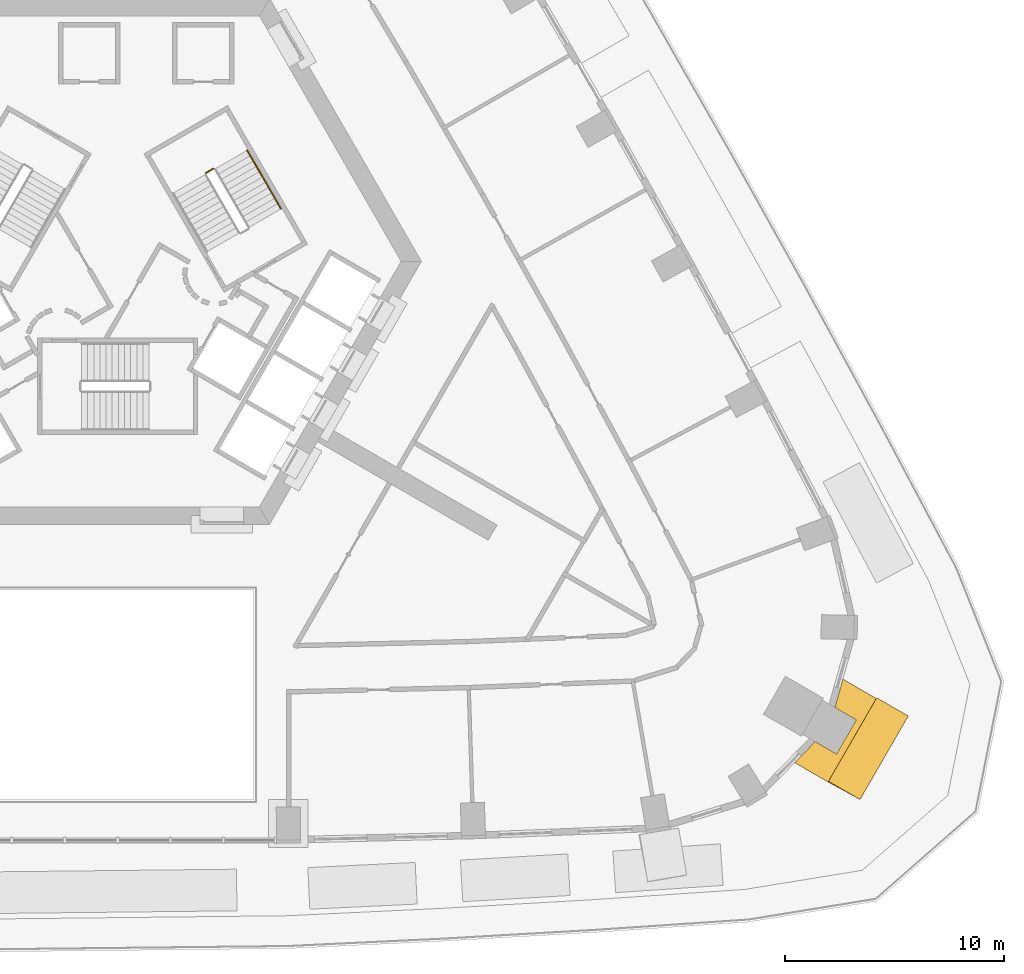
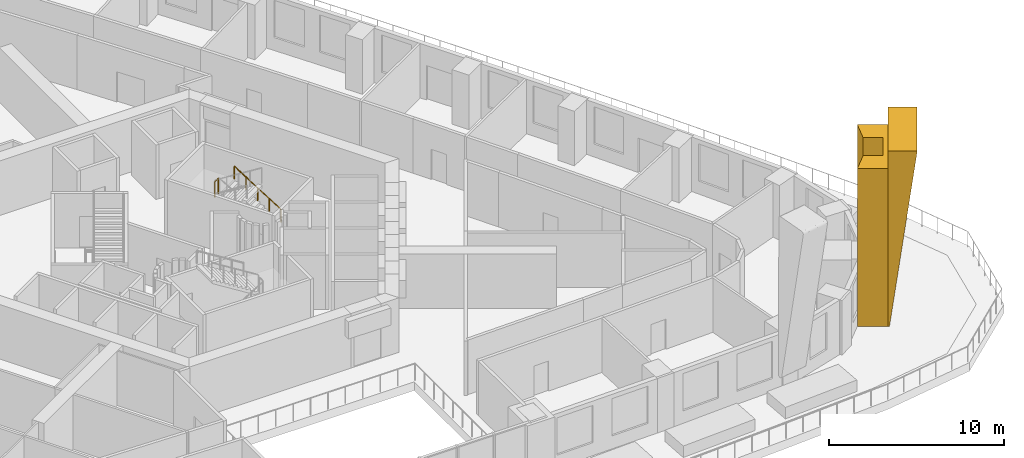
# One storey, part 15 of 16: 2 coverings, 2 railings.
"""IFC4 building model written with IfcOpenShell, lengths in metres."""

import ifcopenshell
import ifcopenshell.guid

model = None  # the IFC model being written
_history = None  # IfcOwnerHistory: only IFC2X3 demands one
_inside = {}  # id of a spatial element -> (the spatial element, [elements in it])
_under = {}  # id of a project, library or spatial element -> (it, [spatial elements below it])
_declared = {}  # id of a project -> (the project, [libraries it declares])
_typed = {}  # id of a type object -> (the type object, [elements of that type])
_made_of = {}  # id of a material, layer set ... -> (it, [elements and type objects made of it])


def new_model(schema):
    """Start an empty IFC model of exactly this schema.

    Asked for "IFC4X3", IfcOpenShell would pick the latest addendum, in which some entities
    have other attributes; the version numbers below select the first issue.
    IFC2X3 requires an IfcOwnerHistory on every rooted entity: one is made here for all.
    """
    global model, _history
    if schema == "IFC4X3":
        model = ifcopenshell.file(schema_version=(4, 3, 0, 0))
    else:
        model = ifcopenshell.file(schema=schema)
    _inside.clear()
    _under.clear()
    _declared.clear()
    _typed.clear()
    _made_of.clear()
    _history = None
    if model.schema == "IFC2X3":
        org = make("IfcOrganization", Name="unknown")
        user = make(
            "IfcPersonAndOrganization",
            ThePerson=make("IfcPerson", FamilyName="unknown"),
            TheOrganization=org,
        )
        app = make(
            "IfcApplication",
            ApplicationDeveloper=org,
            Version="unknown",
            ApplicationFullName="unknown",
            ApplicationIdentifier="unknown",
        )
        _history = make(
            "IfcOwnerHistory",
            OwningUser=user,
            OwningApplication=app,
            ChangeAction="ADDED",
            CreationDate=0,
        )
    return model


def make(cls, **values):
    """One entity of the class cls with the attributes given. An attribute that is None is left unset."""
    return model.create_entity(
        cls, **{name: value for name, value in values.items() if value is not None}
    )


def rooted(cls, **values):
    """An entity with a GlobalId (a new one), such as an element, a storey or a relation."""
    return make(cls, GlobalId=ifcopenshell.guid.new(), OwnerHistory=_history, **values)


def si_unit(unit_type, name, prefix=None):
    """IfcSIUnit, for example si_unit("LENGTHUNIT", "METRE", prefix="MILLI")."""
    return make("IfcSIUnit", UnitType=unit_type, Prefix=prefix, Name=name)


def assignment(units):
    """IfcUnitAssignment: the units of a project."""
    return None if units is None else make("IfcUnitAssignment", Units=units)


def point(xyz):
    """IfcCartesianPoint."""
    return None if xyz is None else make("IfcCartesianPoint", Coordinates=xyz)


def direction(xyz):
    """IfcDirection."""
    return None if xyz is None else make("IfcDirection", DirectionRatios=xyz)


def frame(location, z_axis=None, x_axis=None):
    """IfcAxis2Placement3D, a coordinate frame: its origin and axes. An axis left out is left unset."""
    return make(
        "IfcAxis2Placement3D",
        Location=point(location),
        Axis=direction(z_axis),
        RefDirection=direction(x_axis),
    )


def frame_2d(location, x_axis=None):
    """IfcAxis2Placement2D, a coordinate frame in the plane: its origin and x axis."""
    return make(
        "IfcAxis2Placement2D", Location=point(location), RefDirection=direction(x_axis)
    )


def origin():
    """The frame at (0, 0, 0) with its axes left unset."""
    return frame((0.0, 0.0, 0.0))


def origin_2d():
    """The frame at (0, 0) in the plane with its x axis left unset."""
    return frame_2d((0.0, 0.0))


def place(relative_to, where):
    """IfcLocalPlacement: puts the frame where relative to a parent placement (None: the world)."""
    return make(
        "IfcLocalPlacement", PlacementRelTo=relative_to, RelativePlacement=where
    )


def context(
    kind, dimensions, precision=None, world=None, true_north=None, identifier=None
):
    """IfcGeometricRepresentationContext, for example the 3D "Model" context."""
    return make(
        "IfcGeometricRepresentationContext",
        ContextIdentifier=identifier,
        ContextType=kind,
        CoordinateSpaceDimension=dimensions,
        Precision=precision,
        WorldCoordinateSystem=world,
        TrueNorth=true_north,
    )


def subcontext(parent, identifier, kind, view, scale=None):
    """IfcGeometricRepresentationSubContext, for example "Body" below "Model"."""
    return make(
        "IfcGeometricRepresentationSubContext",
        ContextIdentifier=identifier,
        ContextType=kind,
        ParentContext=parent,
        TargetScale=scale,
        TargetView=view,
    )


def project(units=None, contexts=None):
    """IfcProject with its units and contexts."""
    return rooted(
        "IfcProject",
        Name="project",
        RepresentationContexts=contexts,
        UnitsInContext=assignment(units),
    )


def spatial(cls, under=None, at=None, **own):
    """A site, building, storey or space (cls), placed at a placement, below another one or the project."""
    s = rooted(cls, ObjectPlacement=at, **own)
    if under is not None:
        _under.setdefault(under.id(), (under, []))[1].append(s)
    return s


def polyline(points):
    """IfcPolyline through the points."""
    return make("IfcPolyline", Points=[point(p) for p in points])


def profile(cls, at=None, kind="AREA", **sizes):
    """A parametric profile (cls). Its sizes go by their IFC names, for example OverallWidth=200.0."""
    return make(cls, ProfileType=kind, Position=at, **sizes)


def circle(**sizes):
    """IfcCircleProfileDef."""
    return profile("IfcCircleProfileDef", **sizes)


def outline(outer, holes=None, kind="AREA"):
    """IfcArbitraryClosedProfileDef: a profile drawn as a closed curve; with holes, ...WithVoids."""
    if holes is None:
        return make("IfcArbitraryClosedProfileDef", ProfileType=kind, OuterCurve=outer)
    return make(
        "IfcArbitraryProfileDefWithVoids",
        ProfileType=kind,
        OuterCurve=outer,
        InnerCurves=holes,
    )


def extrude(swept, where, along, depth):
    """IfcExtrudedAreaSolid: the profile swept, set in the frame where, extruded along a direction by depth."""
    return make(
        "IfcExtrudedAreaSolid",
        SweptArea=swept,
        Position=where,
        ExtrudedDirection=direction(along),
        Depth=depth,
    )


def shape(context_of_items, identifier, shape_type, items):
    """IfcShapeRepresentation: the items that make up one representation, for example the "Body"."""
    return make(
        "IfcShapeRepresentation",
        ContextOfItems=context_of_items,
        RepresentationIdentifier=identifier,
        RepresentationType=shape_type,
        Items=items,
    )


def material(Name=None, Category=None):
    """IfcMaterial."""
    return make("IfcMaterial", Name=Name, Category=Category)


def made_of(thing, what):
    """Note that an element or type object is made of a material, layer set ...; save() writes the relation."""
    if what is not None:
        _made_of.setdefault(what.id(), (what, []))[1].append(thing)
    return thing


def type_object(cls, material=None, **own):
    """A type object (cls), such as IfcWallType, which elements share."""
    return made_of(rooted(cls, **own), material)


def element(
    cls,
    number,
    at=None,
    inside=None,
    cuts=None,
    type_object=None,
    material=None,
    context=None,
    identifier="Body",
    shape_type=None,
    held_by="IfcProductDefinitionShape",
    body=None,
    shapes=None,
    **own,
):
    """One element of the class cls, such as IfcWall. Its Tag is "e" and its number.

    at: its placement. inside: the storey or other place that contains it. cuts: it is an
    opening in that element (IfcRelVoidsElement). A single representation is given by context,
    identifier, shape_type and body (its items); several are given by shapes. held_by: the class
    of the entity that holds the representations. save() writes the other relations.
    """
    e = rooted(cls, Tag="e%d" % number, ObjectPlacement=at, **own)
    if body is not None:
        shapes = [shape(context, identifier, shape_type, body)]
    if shapes is not None:
        e.Representation = make(held_by, Representations=shapes)
    if inside is not None:
        _inside.setdefault(inside.id(), (inside, []))[1].append(e)
    if cuts is not None:
        rooted(
            "IfcRelVoidsElement", RelatingBuildingElement=cuts, RelatedOpeningElement=e
        )
    if type_object is not None:
        _typed.setdefault(type_object.id(), (type_object, []))[1].append(e)
    return made_of(e, material)


def aggregate(whole, parts):
    """IfcRelAggregates: a whole, such as a stair, and the parts it consists of."""
    return rooted("IfcRelAggregates", RelatingObject=whole, RelatedObjects=parts)


def save(model, path):
    """Write the relations noted so far, then the file.

    IfcRelAggregates (storeys below a building ...), IfcRelContainedInSpatialStructure (elements
    in a storey), IfcRelDefinesByType, IfcRelAssociatesMaterial and IfcRelDeclares: one each for
    every whole, place, type object, material and project.
    """
    for whole, parts in _under.values():
        aggregate(whole, parts)
    for where, things in _inside.values():
        rooted(
            "IfcRelContainedInSpatialStructure",
            RelatedElements=things,
            RelatingStructure=where,
        )
    for kind, things in _typed.values():
        rooted("IfcRelDefinesByType", RelatedObjects=things, RelatingType=kind)
    for what, things in _made_of.values():
        rooted("IfcRelAssociatesMaterial", RelatedObjects=things, RelatingMaterial=what)
    for by, libraries in _declared.values():
        rooted("IfcRelDeclares", RelatingContext=by, RelatedDefinitions=libraries)
    model.write(path)


model = new_model("IFC4")

# Units and contexts
model_context = context("Model", 3, precision=1e-05, world=origin(), true_north=direction((0.0, 1.0)))
body_context = subcontext(model_context, "Body", "Model", "MODEL_VIEW")
ifc_project = project(units=[si_unit("LENGTHUNIT", "METRE"), si_unit("AREAUNIT", "SQUARE_METRE"), si_unit("VOLUMEUNIT", "CUBIC_METRE"), si_unit("PLANEANGLEUNIT", "RADIAN"), si_unit("MASSUNIT", "GRAM", prefix="KILO")], contexts=[model_context])

# Site, building, storey
site_placement = place(None, origin())
site = spatial("IfcSite", under=ifc_project, at=site_placement, CompositionType="ELEMENT")
building_placement = place(site_placement, origin())
building = spatial("IfcBuilding", under=site, at=building_placement, Name="Entoto Arch Interchange Tower", CompositionType="ELEMENT")
storey_placement = place(building_placement, frame((0.0, 0.0, 138.199951171875)))
storey = spatial("IfcBuildingStorey", under=building, at=storey_placement, Name="L30", CompositionType="ELEMENT", Elevation=138.199951171875)

# Coverings
ifc_material_1 = material(Name="Board-marked precast concrete C50/60", Category="concrete")
covering_type = type_object("IfcCoveringType", Name="PRECAST FRAME COURSE", PredefinedType="CLADDING", material=ifc_material_1)
covering_1_placement = place(storey_placement, origin())
element("IfcCovering", 1, at=covering_1_placement, inside=storey, type_object=covering_type, Name="Corner pilaster SE L30-L32", PredefinedType="CLADDING", context=body_context, shape_type="SweptSolid", body=[
    extrude(outline(polyline([(34.60888671875, -17.44091796875), (32.408935546875, -21.2509765625), (30.884033203125, -20.37109375), (31.821044921875, -19.410888671875), (32.799072265625, -19.97509765625), (33.698974609375, -18.4169921875), (32.720947265625, -17.85205078125), (33.083984375, -16.56005859375), (34.60888671875, -17.44091796875)])), origin(), (0.0, 0.0, 1.0), 11.0),
])
covering_2_placement = place(storey_placement, frame((32.408935546875, -21.2509765625, 0.0), z_axis=(-0.499999572072, -0.866020583165, 0.002962678221), x_axis=(0.86602439667, -0.500001744295, 8.627565e-06)))
element("IfcCovering", 2, at=covering_2_placement, inside=storey, type_object=covering_type, Name="Corner rib SE L30-L32", PredefinedType="CLADDING", context=body_context, shape_type="SweptSolid", body=[
    extrude(outline(polyline([(0.0, 0.0), (0.07852077289016388, 0.0), (1.6628014016149208, 12.199990368996891), (0.0010939476225454562, 12.200005382994807), (0.0, 0.0)])), origin(), (0.0, 0.0, -1.0), 4.39990234375),
])

# Railings
ifc_material_2 = material(Name="Stainless steel 1.4301", Category="steel")
railing_type_1 = type_object("IfcRailingType", Name="STAIR GUARD 1100 STEEL", PredefinedType="GUARDRAIL", material=ifc_material_2)
railing_1_placement = place(storey_placement, frame((4.36962890625, 6.731689453125, 2.10009765625)))
element("IfcRailing", 3, at=railing_1_placement, inside=storey, type_object=railing_type_1, Name="L30 ST-NE stair guard 2", PredefinedType="GUARDRAIL", context=body_context, shape_type="SweptSolid", body=[
    extrude(circle(Radius=0.02392578125, at=origin_2d()), frame((0.0, 0.0, 1.076171875), z_axis=(-0.866094119867, -0.499880961361, 0.0), x_axis=(0.499880961361, -0.866094119867, 0.0)), (0.0, 0.0, 1.0), 0.39990234375),
    extrude(circle(Radius=0.02099609375, at=origin_2d()), origin(), (0.0, 0.0, 1.0), 1.052001953125),
    extrude(circle(Radius=0.02099609375, at=origin_2d()), frame((-0.346435546875, -0.199951171875, 0.0)), (0.0, 0.0, 1.0), 1.052001953125),
])
railing_type_2 = type_object("IfcRailingType", Name="STAIR HANDRAIL 900 STEEL", PredefinedType="HANDRAIL", material=ifc_material_2)
railing_2_placement = place(storey_placement, frame((7.4501953125, 4.89599609375, 0.175048828125)))
element("IfcRailing", 4, at=railing_2_placement, inside=storey, type_object=railing_type_2, Name="L30 ST-NE stair handrail 1", PredefinedType="HANDRAIL", context=body_context, shape_type="SweptSolid", body=[
    extrude(circle(Radius=0.02392578125, at=origin_2d()), frame((0.0, 0.0, 0.8759765625), z_axis=(-0.423994474112, 0.734394994316, 0.52999309264), x_axis=(-0.866029832698, -0.499992328818, 0.0)), (0.0, 0.0, 1.0), 3.63232421875),
    extrude(circle(Radius=0.02099609375, at=origin_2d()), origin(), (0.0, 0.0, 1.0), 0.851806640625),
    extrude(circle(Radius=0.02099609375, at=origin_2d()), frame((-0.385009765625, 0.6669921875, 0.481201171875)), (0.0, 0.0, 1.0), 0.851806640625),
    extrude(circle(Radius=0.02099609375, at=origin_2d()), frame((-0.77001953125, 1.333740234375, 0.96240234375)), (0.0, 0.0, 1.0), 0.851806640625),
    extrude(circle(Radius=0.02099609375, at=origin_2d()), frame((-1.155029296875, 2.00048828125, 1.44384765625)), (0.0, 0.0, 1.0), 0.851806640625),
    extrude(circle(Radius=0.02099609375, at=origin_2d()), frame((-1.5400390625, 2.66748046875, 1.925048828125)), (0.0, 0.0, 1.0), 0.851806640625),
])

save(model, "model.ifc")
